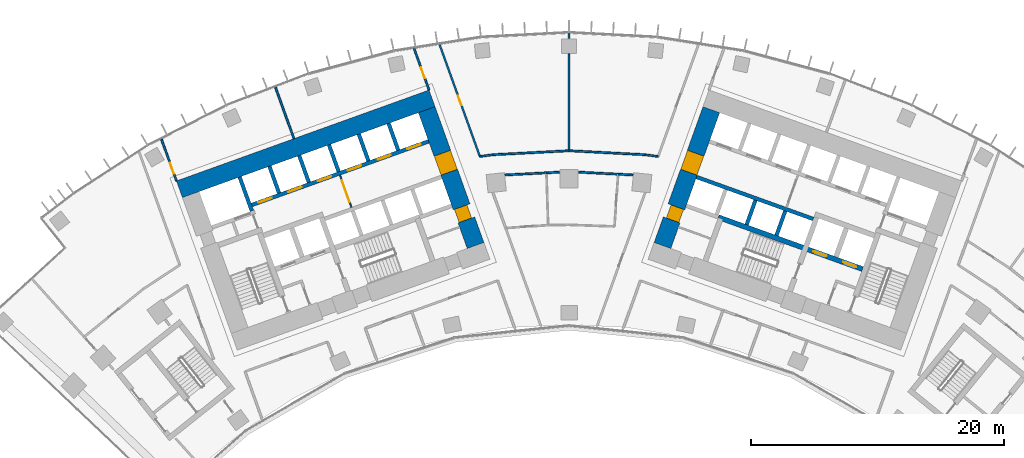
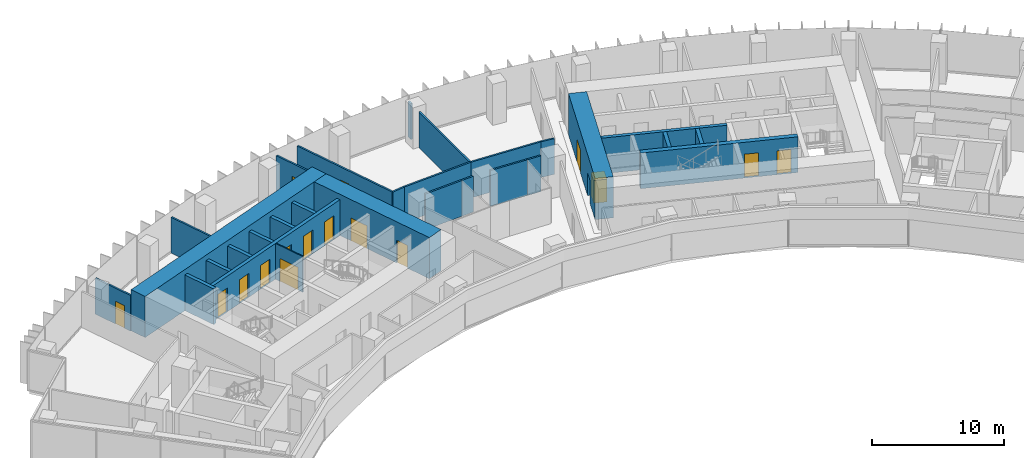
# One storey, part 17 of 22: 29 walls, 16 doors, 16 openings.
"""IFC4 building model written with IfcOpenShell, lengths in metres."""

import ifcopenshell
import ifcopenshell.guid

model = None  # the IFC model being written
_history = None  # IfcOwnerHistory: only IFC2X3 demands one
_inside = {}  # id of a spatial element -> (the spatial element, [elements in it])
_under = {}  # id of a project, library or spatial element -> (it, [spatial elements below it])
_declared = {}  # id of a project -> (the project, [libraries it declares])
_typed = {}  # id of a type object -> (the type object, [elements of that type])
_made_of = {}  # id of a material, layer set ... -> (it, [elements and type objects made of it])


def new_model(schema):
    """Start an empty IFC model of exactly this schema.

    Asked for "IFC4X3", IfcOpenShell would pick the latest addendum, in which some entities
    have other attributes; the version numbers below select the first issue.
    IFC2X3 requires an IfcOwnerHistory on every rooted entity: one is made here for all.
    """
    global model, _history
    if schema == "IFC4X3":
        model = ifcopenshell.file(schema_version=(4, 3, 0, 0))
    else:
        model = ifcopenshell.file(schema=schema)
    _inside.clear()
    _under.clear()
    _declared.clear()
    _typed.clear()
    _made_of.clear()
    _history = None
    if model.schema == "IFC2X3":
        org = make("IfcOrganization", Name="unknown")
        user = make(
            "IfcPersonAndOrganization",
            ThePerson=make("IfcPerson", FamilyName="unknown"),
            TheOrganization=org,
        )
        app = make(
            "IfcApplication",
            ApplicationDeveloper=org,
            Version="unknown",
            ApplicationFullName="unknown",
            ApplicationIdentifier="unknown",
        )
        _history = make(
            "IfcOwnerHistory",
            OwningUser=user,
            OwningApplication=app,
            ChangeAction="ADDED",
            CreationDate=0,
        )
    return model


def make(cls, **values):
    """One entity of the class cls with the attributes given. An attribute that is None is left unset."""
    return model.create_entity(
        cls, **{name: value for name, value in values.items() if value is not None}
    )


def rooted(cls, **values):
    """An entity with a GlobalId (a new one), such as an element, a storey or a relation."""
    return make(cls, GlobalId=ifcopenshell.guid.new(), OwnerHistory=_history, **values)


def si_unit(unit_type, name, prefix=None):
    """IfcSIUnit, for example si_unit("LENGTHUNIT", "METRE", prefix="MILLI")."""
    return make("IfcSIUnit", UnitType=unit_type, Prefix=prefix, Name=name)


def assignment(units):
    """IfcUnitAssignment: the units of a project."""
    return None if units is None else make("IfcUnitAssignment", Units=units)


def point(xyz):
    """IfcCartesianPoint."""
    return None if xyz is None else make("IfcCartesianPoint", Coordinates=xyz)


def direction(xyz):
    """IfcDirection."""
    return None if xyz is None else make("IfcDirection", DirectionRatios=xyz)


def frame(location, z_axis=None, x_axis=None):
    """IfcAxis2Placement3D, a coordinate frame: its origin and axes. An axis left out is left unset."""
    return make(
        "IfcAxis2Placement3D",
        Location=point(location),
        Axis=direction(z_axis),
        RefDirection=direction(x_axis),
    )


def frame_2d(location, x_axis=None):
    """IfcAxis2Placement2D, a coordinate frame in the plane: its origin and x axis."""
    return make(
        "IfcAxis2Placement2D", Location=point(location), RefDirection=direction(x_axis)
    )


def origin():
    """The frame at (0, 0, 0) with its axes left unset."""
    return frame((0.0, 0.0, 0.0))


def place(relative_to, where):
    """IfcLocalPlacement: puts the frame where relative to a parent placement (None: the world)."""
    return make(
        "IfcLocalPlacement", PlacementRelTo=relative_to, RelativePlacement=where
    )


def context(
    kind, dimensions, precision=None, world=None, true_north=None, identifier=None
):
    """IfcGeometricRepresentationContext, for example the 3D "Model" context."""
    return make(
        "IfcGeometricRepresentationContext",
        ContextIdentifier=identifier,
        ContextType=kind,
        CoordinateSpaceDimension=dimensions,
        Precision=precision,
        WorldCoordinateSystem=world,
        TrueNorth=true_north,
    )


def subcontext(parent, identifier, kind, view, scale=None):
    """IfcGeometricRepresentationSubContext, for example "Body" below "Model"."""
    return make(
        "IfcGeometricRepresentationSubContext",
        ContextIdentifier=identifier,
        ContextType=kind,
        ParentContext=parent,
        TargetScale=scale,
        TargetView=view,
    )


def project(units=None, contexts=None):
    """IfcProject with its units and contexts."""
    return rooted(
        "IfcProject",
        Name="project",
        RepresentationContexts=contexts,
        UnitsInContext=assignment(units),
    )


def spatial(cls, under=None, at=None, **own):
    """A site, building, storey or space (cls), placed at a placement, below another one or the project."""
    s = rooted(cls, ObjectPlacement=at, **own)
    if under is not None:
        _under.setdefault(under.id(), (under, []))[1].append(s)
    return s


def profile(cls, at=None, kind="AREA", **sizes):
    """A parametric profile (cls). Its sizes go by their IFC names, for example OverallWidth=200.0."""
    return make(cls, ProfileType=kind, Position=at, **sizes)


def rectangle(**sizes):
    """IfcRectangleProfileDef."""
    return profile("IfcRectangleProfileDef", **sizes)


def extrude(swept, where, along, depth):
    """IfcExtrudedAreaSolid: the profile swept, set in the frame where, extruded along a direction by depth."""
    return make(
        "IfcExtrudedAreaSolid",
        SweptArea=swept,
        Position=where,
        ExtrudedDirection=direction(along),
        Depth=depth,
    )


def shape(context_of_items, identifier, shape_type, items):
    """IfcShapeRepresentation: the items that make up one representation, for example the "Body"."""
    return make(
        "IfcShapeRepresentation",
        ContextOfItems=context_of_items,
        RepresentationIdentifier=identifier,
        RepresentationType=shape_type,
        Items=items,
    )


def material(Name=None, Category=None):
    """IfcMaterial."""
    return make("IfcMaterial", Name=Name, Category=Category)


def layer(
    of_material, thickness, ventilated=None, Name=None, Category=None, Priority=None
):
    """IfcMaterialLayer: one layer of a wall or slab, of a material (None: an air gap)."""
    return make(
        "IfcMaterialLayer",
        Material=of_material,
        LayerThickness=thickness,
        IsVentilated=ventilated,
        Name=Name,
        Category=Category,
        Priority=Priority,
    )


def layer_set(layers, Name=None):
    """IfcMaterialLayerSet."""
    return make("IfcMaterialLayerSet", MaterialLayers=layers, LayerSetName=Name)


def made_of(thing, what):
    """Note that an element or type object is made of a material, layer set ...; save() writes the relation."""
    if what is not None:
        _made_of.setdefault(what.id(), (what, []))[1].append(thing)
    return thing


def type_object(cls, material=None, **own):
    """A type object (cls), such as IfcWallType, which elements share."""
    return made_of(rooted(cls, **own), material)


def element(
    cls,
    number,
    at=None,
    inside=None,
    cuts=None,
    type_object=None,
    material=None,
    context=None,
    identifier="Body",
    shape_type=None,
    held_by="IfcProductDefinitionShape",
    body=None,
    shapes=None,
    **own,
):
    """One element of the class cls, such as IfcWall. Its Tag is "e" and its number.

    at: its placement. inside: the storey or other place that contains it. cuts: it is an
    opening in that element (IfcRelVoidsElement). A single representation is given by context,
    identifier, shape_type and body (its items); several are given by shapes. held_by: the class
    of the entity that holds the representations. save() writes the other relations.
    """
    e = rooted(cls, Tag="e%d" % number, ObjectPlacement=at, **own)
    if body is not None:
        shapes = [shape(context, identifier, shape_type, body)]
    if shapes is not None:
        e.Representation = make(held_by, Representations=shapes)
    if inside is not None:
        _inside.setdefault(inside.id(), (inside, []))[1].append(e)
    if cuts is not None:
        rooted(
            "IfcRelVoidsElement", RelatingBuildingElement=cuts, RelatedOpeningElement=e
        )
    if type_object is not None:
        _typed.setdefault(type_object.id(), (type_object, []))[1].append(e)
    return made_of(e, material)


def fill(opening, filler):
    """IfcRelFillsElement: the door or window that sits in an opening."""
    return rooted(
        "IfcRelFillsElement",
        RelatingOpeningElement=opening,
        RelatedBuildingElement=filler,
    )


def aggregate(whole, parts):
    """IfcRelAggregates: a whole, such as a stair, and the parts it consists of."""
    return rooted("IfcRelAggregates", RelatingObject=whole, RelatedObjects=parts)


def save(model, path):
    """Write the relations noted so far, then the file.

    IfcRelAggregates (storeys below a building ...), IfcRelContainedInSpatialStructure (elements
    in a storey), IfcRelDefinesByType, IfcRelAssociatesMaterial and IfcRelDeclares: one each for
    every whole, place, type object, material and project.
    """
    for whole, parts in _under.values():
        aggregate(whole, parts)
    for where, things in _inside.values():
        rooted(
            "IfcRelContainedInSpatialStructure",
            RelatedElements=things,
            RelatingStructure=where,
        )
    for kind, things in _typed.values():
        rooted("IfcRelDefinesByType", RelatedObjects=things, RelatingType=kind)
    for what, things in _made_of.values():
        rooted("IfcRelAssociatesMaterial", RelatedObjects=things, RelatingMaterial=what)
    for by, libraries in _declared.values():
        rooted("IfcRelDeclares", RelatingContext=by, RelatedDefinitions=libraries)
    model.write(path)


model = new_model("IFC4")

# Units and contexts
model_context = context("Model", 3, precision=1e-05, world=origin(), true_north=direction((0.0, 1.0)))
body_context = subcontext(model_context, "Body", "Model", "MODEL_VIEW")
ifc_project = project(units=[si_unit("LENGTHUNIT", "METRE"), si_unit("AREAUNIT", "SQUARE_METRE"), si_unit("VOLUMEUNIT", "CUBIC_METRE"), si_unit("PLANEANGLEUNIT", "RADIAN"), si_unit("MASSUNIT", "GRAM", prefix="KILO")], contexts=[model_context])

# Site, building, storey
site_placement = place(None, origin())
site = spatial("IfcSite", under=ifc_project, at=site_placement, CompositionType="ELEMENT")
building_placement = place(site_placement, origin())
building = spatial("IfcBuilding", under=site, at=building_placement, Name="Stone Belt Terrace Tower", CompositionType="ELEMENT")
storey_placement = place(building_placement, frame((0.0, 0.0, 132.60009765625)))
storey = spatial("IfcBuildingStorey", under=building, at=storey_placement, Name="L32", CompositionType="ELEMENT", Elevation=132.60009765625)

# Wall, opening, door
ifc_material_1 = material(Name="Plasterboard partition")
ifc_layer_1 = layer(ifc_material_1, 0.10009765625)
ifc_layer_set_1 = layer_set([ifc_layer_1], Name="Core partition 100")
wall_type_1 = type_object("IfcWallType", Name="Core partition 100", PredefinedType="PARTITIONING", material=ifc_layer_set_1)
wall_1_placement = place(storey_placement, frame((-17.17724609375, 52.749755859375, 0.0), z_axis=(0.0, 0.0, 1.0), x_axis=(-0.338546555931, 0.940949642365, 0.0)))
wall_1 = element("IfcWall", 1, at=wall_1_placement, inside=storey, type_object=wall_type_1, Name="Core A wall", PredefinedType="PARTITIONING", context=body_context, shape_type="SweptSolid", body=[
    extrude(rectangle(XDim=2.699951171875, YDim=0.10009765625, at=frame_2d((1.35009765625, 0.0))), origin(), (0.0, 0.0, 1.0), 3.2998046875),
])
opening_1_placement = place(wall_1_placement, frame((0.449951171875, 0.0, 0.0)))
opening_1 = element("IfcOpeningElement", 2, at=opening_1_placement, cuts=wall_1, Name="Opening L32-C03", PredefinedType="OPENING", context=body_context, shape_type="SweptSolid", body=[
    extrude(rectangle(XDim=1.800048828125, YDim=2.10009765625, at=frame_2d((0.89990234375, 1.050048828125))), frame((0.0, 0.06005859375, 0.0), z_axis=(0.0, -1.0, 0.0), x_axis=(1.0, 0.0, 0.0)), (0.0, 0.0, 1.0), 0.1201171875),
])
ifc_material_2 = material(Name="Glazed aluminium door leaf", Category="aluminium")
door_type_1 = type_object("IfcDoorType", Name="Lift lobby entrance door 1800", OperationType="DOUBLE_DOOR_SINGLE_SWING", PredefinedType="DOOR", material=ifc_material_2)
door_1_placement = place(opening_1_placement, origin())
door_1 = element("IfcDoor", 3, at=door_1_placement, inside=storey, type_object=door_type_1, Name="Lift lobby double door core A", OperationType="DOUBLE_DOOR_SINGLE_SWING", OverallHeight=2.10009765625, OverallWidth=1.800048828125, PredefinedType="DOOR", context=body_context, shape_type="SweptSolid", body=[
    extrude(rectangle(XDim=1.800048828125, YDim=2.10009765625, at=frame_2d((0.89990234375, 1.050048828125))), frame((0.0, 0.02490234375, 0.0), z_axis=(0.0, -1.0, 0.0), x_axis=(1.0, 0.0, 0.0)), (0.0, 0.0, 1.0), 0.050048828125),
])
fill(opening_1, door_1)

# Wall
ifc_material_3 = material(Name="Concrete B80", Category="concrete")
ifc_layer_2 = layer(ifc_material_3, 1.39990234375)
ifc_layer_set_2 = layer_set([ifc_layer_2], Name="Core wall 1400 B80")
wall_type_2 = type_object("IfcWallType", Name="Core wall 1400 B80", PredefinedType="SHEAR", material=ifc_layer_set_2)
wall_2_placement = place(storey_placement, frame((-30.765380859375, 54.18310546875, 0.0), z_axis=(0.0, 0.0, 1.0), x_axis=(0.940919704758, 0.338629752382, 0.0)))
element("IfcWall", 4, at=wall_2_placement, inside=storey, type_object=wall_type_2, Name="Core A wall convex L32", PredefinedType="SHEAR", context=body_context, shape_type="SweptSolid", body=[
    extrude(rectangle(XDim=21.199951171875, YDim=1.39990234375, at=frame_2d((10.60009765625, 0.0))), origin(), (0.0, 0.0, 1.0), 3.7998046875),
])

# Wall, openings, doors
wall_3_placement = place(storey_placement, frame((-7.379150390625, 49.73974609375, 0.0), z_axis=(0.0, 0.0, 1.0), x_axis=(-0.338625431531, 0.940921259788, 0.0)))
wall_3 = element("IfcWall", 5, at=wall_3_placement, inside=storey, type_object=wall_type_2, Name="Core A wall end_b L32", PredefinedType="SHEAR", context=body_context, shape_type="SweptSolid", body=[
    extrude(rectangle(XDim=11.400146484375, YDim=1.39990234375, at=frame_2d((5.7001953125, 0.0))), origin(), (0.0, 0.0, 1.0), 3.7998046875),
])
opening_2_placement = place(wall_3_placement, frame((6.14990234375, 0.0, 0.0)))
opening_2 = element("IfcOpeningElement", 6, at=opening_2_placement, cuts=wall_3, Name="Opening L32-C04", PredefinedType="OPENING", context=body_context, shape_type="SweptSolid", body=[
    extrude(rectangle(XDim=1.60009765625, YDim=2.10009765625, at=frame_2d((0.800048828125, 1.050048828125))), frame((0.0, 0.7099609375, 0.0), z_axis=(0.0, -1.0, 0.0), x_axis=(1.0, 0.0, 0.0)), (0.0, 0.0, 1.0), 1.419921875),
])
opening_3_placement = place(wall_3_placement, frame((2.14990234375, 0.0, 0.0)))
opening_3 = element("IfcOpeningElement", 7, at=opening_3_placement, cuts=wall_3, Name="Opening L32-C10", PredefinedType="OPENING", context=body_context, shape_type="SweptSolid", body=[
    extrude(rectangle(XDim=1.10009765625, YDim=2.10009765625, at=frame_2d((0.550048828125, 1.050048828125))), frame((0.0, 0.7099609375, 0.0), z_axis=(0.0, -1.0, 0.0), x_axis=(1.0, 0.0, 0.0)), (0.0, 0.0, 1.0), 1.419921875),
])
ifc_material_4 = material(Name="Timber door leaf", Category="wood")
door_type_2 = type_object("IfcDoorType", Name="Core room door 1100", OperationType="SINGLE_SWING_LEFT", PredefinedType="DOOR", material=ifc_material_4)
door_2_placement = place(opening_3_placement, origin())
door_2 = element("IfcDoor", 8, at=door_2_placement, inside=storey, type_object=door_type_2, Name="Door to Accessible WC core A", OperationType="SINGLE_SWING_LEFT", OverallHeight=2.10009765625, OverallWidth=1.10009765625, PredefinedType="DOOR", context=body_context, shape_type="SweptSolid", body=[
    extrude(rectangle(XDim=1.10009765625, YDim=2.10009765625, at=frame_2d((0.550048828125, 1.050048828125))), frame((0.0, 0.60498046875, 0.0), z_axis=(0.0, -1.0, 0.0), x_axis=(1.0, 0.0, 0.0)), (0.0, 0.0, 1.0), 1.050048828125),
])
fill(opening_3, door_2)
door_type_3 = type_object("IfcDoorType", Name="Lift lobby entrance door 1600", OperationType="DOUBLE_DOOR_SINGLE_SWING", PredefinedType="DOOR", material=ifc_material_2)
door_3_placement = place(opening_2_placement, origin())
door_3 = element("IfcDoor", 9, at=door_3_placement, inside=storey, type_object=door_type_3, Name="Lift lobby entrance door core A", OperationType="DOUBLE_DOOR_SINGLE_SWING", OverallHeight=2.10009765625, OverallWidth=1.60009765625, PredefinedType="DOOR", context=body_context, shape_type="SweptSolid", body=[
    extrude(rectangle(XDim=1.60009765625, YDim=2.10009765625, at=frame_2d((0.800048828125, 1.050048828125))), frame((0.0, 0.68017578125, 0.0), z_axis=(0.0, -1.0, 0.0), x_axis=(1.0, 0.0, 0.0)), (0.0, 0.0, 1.0), 1.360107421875),
])
fill(opening_2, door_3)

wall_4_placement = place(storey_placement, frame((7.379150390625, 49.73974609375, 0.0), z_axis=(0.0, 0.0, 1.0), x_axis=(0.338625431531, 0.940921259788, 0.0)))
wall_4 = element("IfcWall", 10, at=wall_4_placement, inside=storey, type_object=wall_type_2, Name="Core B wall end_a L32", PredefinedType="SHEAR", context=body_context, shape_type="SweptSolid", body=[
    extrude(rectangle(XDim=11.400146484375, YDim=1.39990234375, at=frame_2d((5.7001953125, 0.0))), origin(), (0.0, 0.0, 1.0), 3.7998046875),
])
opening_4_placement = place(wall_4_placement, frame((6.14990234375, 0.0, 0.0)))
opening_4 = element("IfcOpeningElement", 11, at=opening_4_placement, cuts=wall_4, Name="Opening L32-C15", PredefinedType="OPENING", context=body_context, shape_type="SweptSolid", body=[
    extrude(rectangle(XDim=1.60009765625, YDim=2.10009765625, at=frame_2d((0.800048828125, 1.050048828125))), frame((0.0, 0.7099609375, 0.0), z_axis=(0.0, -1.0, 0.0), x_axis=(1.0, 0.0, 0.0)), (0.0, 0.0, 1.0), 1.419921875),
])
opening_5_placement = place(wall_4_placement, frame((2.14990234375, 0.0, 0.0)))
opening_5 = element("IfcOpeningElement", 12, at=opening_5_placement, cuts=wall_4, Name="Opening L32-C21", PredefinedType="OPENING", context=body_context, shape_type="SweptSolid", body=[
    extrude(rectangle(XDim=1.10009765625, YDim=2.10009765625, at=frame_2d((0.550048828125, 1.050048828125))), frame((0.0, 0.7099609375, 0.0), z_axis=(0.0, -1.0, 0.0), x_axis=(1.0, 0.0, 0.0)), (0.0, 0.0, 1.0), 1.419921875),
])
door_4_placement = place(opening_5_placement, origin())
door_4 = element("IfcDoor", 13, at=door_4_placement, inside=storey, type_object=door_type_2, Name="Door to Accessible WC core B", OperationType="SINGLE_SWING_RIGHT", OverallHeight=2.10009765625, OverallWidth=1.10009765625, PredefinedType="DOOR", context=body_context, shape_type="SweptSolid", body=[
    extrude(rectangle(XDim=1.10009765625, YDim=2.10009765625, at=frame_2d((0.550048828125, 1.050048828125))), frame((0.0, 0.44482421875, 0.0), z_axis=(0.0, -1.0, 0.0), x_axis=(1.0, 0.0, 0.0)), (0.0, 0.0, 1.0), 1.050048828125),
])
fill(opening_5, door_4)
door_5_placement = place(opening_4_placement, origin())
door_5 = element("IfcDoor", 14, at=door_5_placement, inside=storey, type_object=door_type_3, Name="Lift lobby entrance door core B", OperationType="DOUBLE_DOOR_SINGLE_SWING", OverallHeight=2.10009765625, OverallWidth=1.60009765625, PredefinedType="DOOR", context=body_context, shape_type="SweptSolid", body=[
    extrude(rectangle(XDim=1.60009765625, YDim=2.10009765625, at=frame_2d((0.800048828125, 1.050048828125))), frame((0.0, 0.68017578125, 0.0), z_axis=(0.0, -1.0, 0.0), x_axis=(1.0, 0.0, 0.0)), (0.0, 0.0, 1.0), 1.360107421875),
])
fill(opening_4, door_5)

# Wall
ifc_layer_3 = layer(ifc_material_3, 0.300048828125)
ifc_layer_set_3 = layer_set([ifc_layer_3], Name="Lift shaft wall 300")
wall_type_3 = type_object("IfcWallType", Name="Lift shaft wall 300", PredefinedType="SHEAR", material=ifc_layer_set_3)
wall_5_placement = place(storey_placement, frame((-25.046875, 52.46826171875, 0.0), z_axis=(0.0, 0.0, 1.0), x_axis=(-0.338549588058, 0.940948551423, 0.0)))
element("IfcWall", 15, at=wall_5_placement, inside=storey, type_object=wall_type_3, Name="Core A wall", PredefinedType="SHEAR", context=body_context, shape_type="SweptSolid", body=[
    extrude(rectangle(XDim=2.849853515625, YDim=0.300048828125, at=frame_2d((1.4248046875, 0.0))), origin(), (0.0, 0.0, 1.0), 3.2998046875),
])

# Wall, openings, doors
wall_6_placement = place(storey_placement, frame((-25.05810546875, 52.9423828125, 0.0), z_axis=(0.0, 0.0, 1.0), x_axis=(0.940918215764, 0.338633889685, 0.0)))
wall_6 = element("IfcWall", 16, at=wall_6_placement, inside=storey, type_object=wall_type_3, Name="Core A wall", PredefinedType="SHEAR", context=body_context, shape_type="SweptSolid", body=[
    extrude(rectangle(XDim=14.850341796875, YDim=0.300048828125, at=frame_2d((7.42529296875, 0.0))), origin(), (0.0, 0.0, 1.0), 3.2998046875),
])
opening_6_placement = place(wall_6_placement, frame((0.570068359375, 0.0, 0.0)))
opening_6 = element("IfcOpeningElement", 17, at=opening_6_placement, cuts=wall_6, Name="Opening L32-LD01", PredefinedType="OPENING", context=body_context, shape_type="SweptSolid", body=[
    extrude(rectangle(XDim=1.10009765625, YDim=2.199951171875, at=frame_2d((0.550048828125, 1.10009765625))), frame((0.0, 0.159912109375, 0.0), z_axis=(0.0, -1.0, 0.0), x_axis=(1.0, 0.0, 0.0)), (0.0, 0.0, 1.0), 0.320068359375),
])
opening_7_placement = place(wall_6_placement, frame((3.070068359375, 0.0, 0.0)))
opening_7 = element("IfcOpeningElement", 18, at=opening_7_placement, cuts=wall_6, Name="Opening L32-LD02", PredefinedType="OPENING", context=body_context, shape_type="SweptSolid", body=[
    extrude(rectangle(XDim=1.10009765625, YDim=2.199951171875, at=frame_2d((0.550048828125, 1.10009765625))), frame((0.0, 0.159912109375, 0.0), z_axis=(0.0, -1.0, 0.0), x_axis=(1.0, 0.0, 0.0)), (0.0, 0.0, 1.0), 0.320068359375),
])
opening_8_placement = place(wall_6_placement, frame((5.570068359375, 0.0, 0.0)))
opening_8 = element("IfcOpeningElement", 19, at=opening_8_placement, cuts=wall_6, Name="Opening L32-LD03", PredefinedType="OPENING", context=body_context, shape_type="SweptSolid", body=[
    extrude(rectangle(XDim=1.10009765625, YDim=2.199951171875, at=frame_2d((0.550048828125, 1.10009765625))), frame((0.0, 0.159912109375, 0.0), z_axis=(0.0, -1.0, 0.0), x_axis=(1.0, 0.0, 0.0)), (0.0, 0.0, 1.0), 0.320068359375),
])
opening_9_placement = place(wall_6_placement, frame((8.070068359375, 0.0, 0.0)))
opening_9 = element("IfcOpeningElement", 20, at=opening_9_placement, cuts=wall_6, Name="Opening L32-LD04", PredefinedType="OPENING", context=body_context, shape_type="SweptSolid", body=[
    extrude(rectangle(XDim=1.10009765625, YDim=2.199951171875, at=frame_2d((0.550048828125, 1.10009765625))), frame((0.0, 0.159912109375, 0.0), z_axis=(0.0, -1.0, 0.0), x_axis=(1.0, 0.0, 0.0)), (0.0, 0.0, 1.0), 0.320068359375),
])
opening_10_placement = place(wall_6_placement, frame((10.570068359375, 0.0, 0.0)))
opening_10 = element("IfcOpeningElement", 21, at=opening_10_placement, cuts=wall_6, Name="Opening L32-LD05", PredefinedType="OPENING", context=body_context, shape_type="SweptSolid", body=[
    extrude(rectangle(XDim=1.10009765625, YDim=2.199951171875, at=frame_2d((0.550048828125, 1.10009765625))), frame((0.0, 0.159912109375, 0.0), z_axis=(0.0, -1.0, 0.0), x_axis=(1.0, 0.0, 0.0)), (0.0, 0.0, 1.0), 0.320068359375),
])
opening_11_placement = place(wall_6_placement, frame((13.070068359375, 0.0, 0.0)))
opening_11 = element("IfcOpeningElement", 22, at=opening_11_placement, cuts=wall_6, Name="Opening L32-LD06", PredefinedType="OPENING", context=body_context, shape_type="SweptSolid", body=[
    extrude(rectangle(XDim=1.10009765625, YDim=2.199951171875, at=frame_2d((0.550048828125, 1.10009765625))), frame((0.0, 0.159912109375, 0.0), z_axis=(0.0, -1.0, 0.0), x_axis=(1.0, 0.0, 0.0)), (0.0, 0.0, 1.0), 0.320068359375),
])
ifc_material_5 = material(Name="Stainless steel door leaf", Category="steel")
door_type_4 = type_object("IfcDoorType", Name="Landing door 1100", OperationType="SLIDING_TO_LEFT", PredefinedType="DOOR", material=ifc_material_5)
door_6_placement = place(opening_6_placement, origin())
door_6 = element("IfcDoor", 23, at=door_6_placement, inside=storey, type_object=door_type_4, Name="Landing door LR1 core A", OperationType="SLIDING_TO_LEFT", OverallHeight=2.199951171875, OverallWidth=1.10009765625, PredefinedType="DOOR", context=body_context, shape_type="SweptSolid", body=[
    extrude(rectangle(XDim=1.10009765625, YDim=2.199951171875, at=frame_2d((0.550048828125, 1.10009765625))), frame((0.0, 0.02490234375, 0.0), z_axis=(0.0, -1.0, 0.0), x_axis=(1.0, 0.0, 0.0)), (0.0, 0.0, 1.0), 0.050048828125),
])
fill(opening_6, door_6)
door_7_placement = place(opening_7_placement, origin())
door_7 = element("IfcDoor", 24, at=door_7_placement, inside=storey, type_object=door_type_4, Name="Landing door LR2 core A", OperationType="SLIDING_TO_LEFT", OverallHeight=2.199951171875, OverallWidth=1.10009765625, PredefinedType="DOOR", context=body_context, shape_type="SweptSolid", body=[
    extrude(rectangle(XDim=1.10009765625, YDim=2.199951171875, at=frame_2d((0.550048828125, 1.10009765625))), frame((0.0, 0.02490234375, 0.0), z_axis=(0.0, -1.0, 0.0), x_axis=(1.0, 0.0, 0.0)), (0.0, 0.0, 1.0), 0.050048828125),
])
fill(opening_7, door_7)
door_8_placement = place(opening_8_placement, origin())
door_8 = element("IfcDoor", 25, at=door_8_placement, inside=storey, type_object=door_type_4, Name="Landing door LR3 core A", OperationType="SLIDING_TO_LEFT", OverallHeight=2.199951171875, OverallWidth=1.10009765625, PredefinedType="DOOR", context=body_context, shape_type="SweptSolid", body=[
    extrude(rectangle(XDim=1.10009765625, YDim=2.199951171875, at=frame_2d((0.550048828125, 1.10009765625))), frame((0.0, 0.02490234375, 0.0), z_axis=(0.0, -1.0, 0.0), x_axis=(1.0, 0.0, 0.0)), (0.0, 0.0, 1.0), 0.050048828125),
])
fill(opening_8, door_8)
door_9_placement = place(opening_9_placement, origin())
door_9 = element("IfcDoor", 26, at=door_9_placement, inside=storey, type_object=door_type_4, Name="Landing door LR4 core A", OperationType="SLIDING_TO_LEFT", OverallHeight=2.199951171875, OverallWidth=1.10009765625, PredefinedType="DOOR", context=body_context, shape_type="SweptSolid", body=[
    extrude(rectangle(XDim=1.10009765625, YDim=2.199951171875, at=frame_2d((0.550048828125, 1.10009765625))), frame((0.0, 0.02490234375, 0.0), z_axis=(0.0, -1.0, 0.0), x_axis=(1.0, 0.0, 0.0)), (0.0, 0.0, 1.0), 0.050048828125),
])
fill(opening_9, door_9)
door_10_placement = place(opening_10_placement, origin())
door_10 = element("IfcDoor", 27, at=door_10_placement, inside=storey, type_object=door_type_4, Name="Landing door LR5 core A", OperationType="SLIDING_TO_LEFT", OverallHeight=2.199951171875, OverallWidth=1.10009765625, PredefinedType="DOOR", context=body_context, shape_type="SweptSolid", body=[
    extrude(rectangle(XDim=1.10009765625, YDim=2.199951171875, at=frame_2d((0.550048828125, 1.10009765625))), frame((0.0, 0.02490234375, 0.0), z_axis=(0.0, -1.0, 0.0), x_axis=(1.0, 0.0, 0.0)), (0.0, 0.0, 1.0), 0.050048828125),
])
fill(opening_10, door_10)
door_11_placement = place(opening_11_placement, origin())
door_11 = element("IfcDoor", 28, at=door_11_placement, inside=storey, type_object=door_type_4, Name="Landing door LR6 core A", OperationType="SLIDING_TO_LEFT", OverallHeight=2.199951171875, OverallWidth=1.10009765625, PredefinedType="DOOR", context=body_context, shape_type="SweptSolid", body=[
    extrude(rectangle(XDim=1.10009765625, YDim=2.199951171875, at=frame_2d((0.550048828125, 1.10009765625))), frame((0.0, 0.02490234375, 0.0), z_axis=(0.0, -1.0, 0.0), x_axis=(1.0, 0.0, 0.0)), (0.0, 0.0, 1.0), 0.050048828125),
])
fill(opening_11, door_11)

# Walls
wall_7_placement = place(storey_placement, frame((-22.897705078125, 53.87939453125, 0.0), z_axis=(0.0, 0.0, 1.0), x_axis=(-0.338535034312, 0.940953787677, 0.0)))
element("IfcWall", 29, at=wall_7_placement, inside=storey, type_object=wall_type_3, Name="Core A wall", PredefinedType="SHEAR", context=body_context, shape_type="SweptSolid", body=[
    extrude(rectangle(XDim=2.25, YDim=0.300048828125, at=frame_2d((1.125, 0.0))), origin(), (0.0, 0.0, 1.0), 3.2998046875),
])
wall_8_placement = place(storey_placement, frame((-20.54541015625, 54.72607421875, 0.0), z_axis=(0.0, 0.0, 1.0), x_axis=(-0.338569601369, 0.940941350472, 0.0)))
element("IfcWall", 30, at=wall_8_placement, inside=storey, type_object=wall_type_3, Name="Core A wall", PredefinedType="SHEAR", context=body_context, shape_type="SweptSolid", body=[
    extrude(rectangle(XDim=2.249755859375, YDim=0.300048828125, at=frame_2d((1.125, 0.0))), origin(), (0.0, 0.0, 1.0), 3.2998046875),
])
wall_9_placement = place(storey_placement, frame((-18.193115234375, 55.572509765625, 0.0), z_axis=(0.0, 0.0, 1.0), x_axis=(-0.338535034312, 0.940953787677, 0.0)))
element("IfcWall", 31, at=wall_9_placement, inside=storey, type_object=wall_type_3, Name="Core A wall", PredefinedType="SHEAR", context=body_context, shape_type="SweptSolid", body=[
    extrude(rectangle(XDim=2.25, YDim=0.300048828125, at=frame_2d((1.125, 0.0))), origin(), (0.0, 0.0, 1.0), 3.2998046875),
])
wall_10_placement = place(storey_placement, frame((-15.8408203125, 56.419189453125, 0.0), z_axis=(0.0, 0.0, 1.0), x_axis=(-0.338569601369, 0.940941350472, 0.0)))
element("IfcWall", 32, at=wall_10_placement, inside=storey, type_object=wall_type_3, Name="Core A wall", PredefinedType="SHEAR", context=body_context, shape_type="SweptSolid", body=[
    extrude(rectangle(XDim=2.249755859375, YDim=0.300048828125, at=frame_2d((1.125, 0.0))), origin(), (0.0, 0.0, 1.0), 3.2998046875),
])
wall_11_placement = place(storey_placement, frame((-13.48828125, 57.265625, 0.0), z_axis=(0.0, 0.0, 1.0), x_axis=(-0.338631098537, 0.940919220286, 0.0)))
element("IfcWall", 33, at=wall_11_placement, inside=storey, type_object=wall_type_3, Name="Core A wall", PredefinedType="SHEAR", context=body_context, shape_type="SweptSolid", body=[
    extrude(rectangle(XDim=2.250244140625, YDim=0.300048828125, at=frame_2d((1.125, 0.0))), origin(), (0.0, 0.0, 1.0), 3.2998046875),
])
wall_12_placement = place(storey_placement, frame((19.29052734375, 51.829833984375, 0.0), z_axis=(0.0, 0.0, 1.0), x_axis=(-0.940925833398, 0.338612722803, 0.0)))
element("IfcWall", 34, at=wall_12_placement, inside=storey, type_object=wall_type_3, Name="Core B wall", PredefinedType="SHEAR", context=body_context, shape_type="SweptSolid", body=[
    extrude(rectangle(XDim=9.7998046875, YDim=0.300048828125, at=frame_2d((4.89990234375, 0.0))), origin(), (0.0, 0.0, 1.0), 3.2998046875),
])
for number, where, z_axis, x_axis, name in (
    (35, (16.38134765625, 50.53857421875, 0.0), (0.0, 0.0, 1.0), (0.338681515556, 0.940901073982, 0.0), "Core B wall"),
    (36, (14.029052734375, 51.38525390625, 0.0), (0.0, 0.0, 1.0), (0.338681515556, 0.940901073982, 0.0), "Core B wall"),
):
    element("IfcWall", number, at=place(storey_placement, frame(where, z_axis=z_axis, x_axis=x_axis)), inside=storey, type_object=wall_type_3, Name=name, PredefinedType="SHEAR", context=body_context, shape_type="SweptSolid", body=[
        extrude(rectangle(XDim=2.050048828125, YDim=0.300048828125, at=frame_2d((1.02490234375, 0.0))), origin(), (0.0, 0.0, 1.0), 3.2998046875),
    ])

# Wall, opening, door
ifc_material_6 = material(Name="Gypsum board partition")
ifc_layer_4 = layer(ifc_material_6, 0.14990234375)
ifc_layer_set_4 = layer_set([ifc_layer_4], Name="PARTITION 150 EI 60")
wall_type_4 = type_object("IfcWallType", Name="PARTITION 150 EI 60", PredefinedType="PARTITIONING", material=ifc_layer_set_4)
wall_13_placement = place(storey_placement, frame((-32.185791015625, 58.131103515625, 0.0), z_axis=(0.0, 0.0, 1.0), x_axis=(0.338662585219, -0.940907887826, 0.0)))
wall_13 = element("IfcWall", 37, at=wall_13_placement, inside=storey, type_object=wall_type_4, Name="L32/wall/i002", PredefinedType="PARTITIONING", context=body_context, shape_type="SweptSolid", body=[
    extrude(rectangle(XDim=3.49560546875, YDim=0.14990234375, at=frame_2d((1.747802734375, 0.0))), origin(), (0.0, 0.0, 1.0), 3.2998046875),
])
opening_12_placement = place(wall_13_placement, frame((1.996337890625, 0.0, 0.0)))
opening_12 = element("IfcOpeningElement", 38, at=opening_12_placement, cuts=wall_13, Name="Opening D-B5-04", PredefinedType="OPENING", context=body_context, shape_type="SweptSolid", body=[
    extrude(rectangle(XDim=0.89990234375, YDim=2.10009765625, at=frame_2d((0.449951171875, 1.050048828125))), frame((0.0, 0.0849609375, 0.0), z_axis=(0.0, -1.0, 0.0), x_axis=(1.0, 0.0, 0.0)), (0.0, 0.0, 1.0), 0.169921875),
])
door_type_5 = type_object("IfcDoorType", Name="OFFICE DOOR 900 X 2100", OperationType="NOTDEFINED", PredefinedType="DOOR", material=ifc_material_4)
door_12_placement = place(opening_12_placement, origin())
door_12 = element("IfcDoor", 39, at=door_12_placement, inside=storey, type_object=door_type_5, Name="L32/door/i04", OperationType="SINGLE_SWING_RIGHT", OverallHeight=2.10009765625, OverallWidth=0.89990234375, PredefinedType="DOOR", context=body_context, shape_type="SweptSolid", body=[
    extrude(rectangle(XDim=0.89990234375, YDim=2.10009765625, at=frame_2d((0.449951171875, 1.050048828125))), frame((0.0, 0.02490234375, 0.0), z_axis=(0.0, -1.0, 0.0), x_axis=(1.0, 0.0, 0.0)), (0.0, 0.0, 1.0), 0.050048828125),
])
fill(opening_12, door_12)

wall_14_placement = place(storey_placement, frame((-11.054931640625, 62.02099609375, 0.0), z_axis=(0.0, 0.0, 1.0), x_axis=(-0.338853532575, 0.94083913793, 0.0)))
wall_14 = element("IfcWall", 40, at=wall_14_placement, inside=storey, type_object=wall_type_4, Name="L32/wall/i007", PredefinedType="PARTITIONING", context=body_context, shape_type="SweptSolid", body=[
    extrude(rectangle(XDim=3.482177734375, YDim=0.14990234375, at=frame_2d((1.7412109375, 0.0))), origin(), (0.0, 0.0, 1.0), 3.2998046875),
])
opening_13_placement = place(wall_14_placement, frame((0.99365234375, 0.0, 0.0)))
opening_13 = element("IfcOpeningElement", 41, at=opening_13_placement, cuts=wall_14, Name="Opening D-B5-05", PredefinedType="OPENING", context=body_context, shape_type="SweptSolid", body=[
    extrude(rectangle(XDim=0.89990234375, YDim=2.10009765625, at=frame_2d((0.449951171875, 1.050048828125))), frame((0.0, 0.0849609375, 0.0), z_axis=(0.0, -1.0, 0.0), x_axis=(1.0, 0.0, 0.0)), (0.0, 0.0, 1.0), 0.169921875),
])
door_13_placement = place(opening_13_placement, origin())
door_13 = element("IfcDoor", 42, at=door_13_placement, inside=storey, type_object=door_type_5, Name="L32/door/i05", OperationType="SINGLE_SWING_LEFT", OverallHeight=2.10009765625, OverallWidth=0.89990234375, PredefinedType="DOOR", context=body_context, shape_type="SweptSolid", body=[
    extrude(rectangle(XDim=0.89990234375, YDim=2.10009765625, at=frame_2d((0.449951171875, 1.050048828125))), frame((0.0, 0.02490234375, 0.0), z_axis=(0.0, -1.0, 0.0), x_axis=(1.0, 0.0, 0.0)), (0.0, 0.0, 1.0), 0.050048828125),
])
fill(opening_13, door_13)

wall_15_placement = place(storey_placement, frame((-10.223876953125, 65.6162109375, 0.0), z_axis=(0.0, 0.0, 1.0), x_axis=(0.338637655092, -0.940916860596, 0.0)))
wall_15 = element("IfcWall", 43, at=wall_15_placement, inside=storey, type_object=wall_type_4, Name="L32/wall/i010", PredefinedType="PARTITIONING", context=body_context, shape_type="SweptSolid", body=[
    extrude(rectangle(XDim=9.40478515625, YDim=0.14990234375, at=frame_2d((4.702392578125, 0.0))), origin(), (0.0, 0.0, 1.0), 3.2998046875),
])
opening_14_placement = place(wall_15_placement, frame((4.302490234375, 0.0, 0.0)))
opening_14 = element("IfcOpeningElement", 44, at=opening_14_placement, cuts=wall_15, Name="Opening D-B5-29", PredefinedType="OPENING", context=body_context, shape_type="SweptSolid", body=[
    extrude(rectangle(XDim=0.800048828125, YDim=2.10009765625, at=frame_2d((0.39990234375, 1.050048828125))), frame((0.0, 0.0849609375, 0.0), z_axis=(0.0, -1.0, 0.0), x_axis=(1.0, 0.0, 0.0)), (0.0, 0.0, 1.0), 0.169921875),
])
door_type_6 = type_object("IfcDoorType", Name="STORE DOOR 800 X 2100", OperationType="NOTDEFINED", PredefinedType="DOOR", material=ifc_material_4)
door_14_placement = place(opening_14_placement, origin())
door_14 = element("IfcDoor", 45, at=door_14_placement, inside=storey, type_object=door_type_6, Name="L32/door/i29", OperationType="SINGLE_SWING_RIGHT", OverallHeight=2.10009765625, OverallWidth=0.800048828125, PredefinedType="DOOR", context=body_context, shape_type="SweptSolid", body=[
    extrude(rectangle(XDim=0.800048828125, YDim=2.10009765625, at=frame_2d((0.39990234375, 1.050048828125))), frame((0.0, 0.02490234375, 0.0), z_axis=(0.0, -1.0, 0.0), x_axis=(1.0, 0.0, 0.0)), (0.0, 0.0, 1.0), 0.050048828125),
])
fill(opening_14, door_14)

# Walls
wall_16_placement = place(storey_placement, frame((-23.183837890625, 62.234130859375, 0.0), z_axis=(0.0, 0.0, 1.0), x_axis=(0.338633169917, -0.940918474806, 0.0)))
element("IfcWall", 46, at=wall_16_placement, inside=storey, type_object=wall_type_4, Name="L32/wall/i017", PredefinedType="PARTITIONING", context=body_context, shape_type="SweptSolid", body=[
    extrude(rectangle(XDim=4.3076171875, YDim=0.14990234375, at=frame_2d((2.15380859375, 0.0))), origin(), (0.0, 0.0, 1.0), 3.2998046875),
])
wall_17_placement = place(storey_placement, frame((5.05419921875, 55.310302734375, 0.0), z_axis=(0.0, 0.0, 1.0), x_axis=(-0.998637698263, 0.052179954081, 0.0)))
element("IfcWall", 47, at=wall_17_placement, inside=storey, type_object=wall_type_4, Name="L32/wall/i077", PredefinedType="PARTITIONING", context=body_context, shape_type="SweptSolid", body=[
    extrude(rectangle(XDim=1.183837890625, YDim=0.14990234375, at=frame_2d((0.591796875, 0.0))), origin(), (0.0, 0.0, 1.0), 3.2998046875),
])
wall_18_placement = place(storey_placement, frame((-1.777099609375, 55.48193359375, 0.0), z_axis=(0.0, 0.0, 1.0), x_axis=(-0.998635243158, -0.052226919519, 0.0)))
element("IfcWall", 48, at=wall_18_placement, inside=storey, type_object=wall_type_4, Name="L32/wall/i078", PredefinedType="PARTITIONING", context=body_context, shape_type="SweptSolid", body=[
    extrude(rectangle(XDim=3.281494140625, YDim=0.14990234375, at=frame_2d((1.640625, 0.0))), origin(), (0.0, 0.0, 1.0), 3.2998046875),
])
wall_19_placement = place(storey_placement, frame((3.884033203125, 55.3720703125, 0.0), z_axis=(0.0, 0.0, 1.0), x_axis=(-0.998636491381, 0.052203046674, 0.0)))
element("IfcWall", 49, at=wall_19_placement, inside=storey, type_object=wall_type_4, Name="L32/wall/i079", PredefinedType="PARTITIONING", context=body_context, shape_type="SweptSolid", body=[
    extrude(rectangle(XDim=3.13330078125, YDim=0.14990234375, at=frame_2d((1.566650390625, 0.0))), origin(), (0.0, 0.0, 1.0), 3.2998046875),
])
wall_20_placement = place(storey_placement, frame((-0.7548828125, 55.535400390625, 0.0), z_axis=(0.0, 0.0, 1.0), x_axis=(-0.998617178026, -0.052571206492, 0.0)))
element("IfcWall", 50, at=wall_20_placement, inside=storey, type_object=wall_type_4, Name="L32/wall/i080", PredefinedType="PARTITIONING", context=body_context, shape_type="SweptSolid", body=[
    extrude(rectangle(XDim=1.03564453125, YDim=0.14990234375, at=frame_2d((0.517822265625, 0.0))), origin(), (0.0, 0.0, 1.0), 3.2998046875),
])
wall_21_placement = place(storey_placement, frame((-7.041015625, 56.77294921875, 0.0), z_axis=(0.0, 0.0, 1.0), x_axis=(0.991477617634, 0.130277142013, 0.0)))
element("IfcWall", 51, at=wall_21_placement, inside=storey, type_object=wall_type_4, Name="L32/wall/i081", PredefinedType="PARTITIONING", context=body_context, shape_type="SweptSolid", body=[
    extrude(rectangle(XDim=1.068115234375, YDim=0.14990234375, at=frame_2d((0.5341796875, 0.0))), origin(), (0.0, 0.0, 1.0), 3.2998046875),
])
for number, where, z_axis, x_axis, name in (
    (52, (-5.98193359375, 56.912109375, 0.0), (0.0, 0.0, 1.0), (0.998633994648, 0.052250786921, 0.0), "L32/wall/i082"),
    (53, (0.0, 57.22509765625, 0.0), (0.0, 0.0, 1.0), (0.998633994648, -0.052250786921, 0.0), "L32/wall/i083"),
):
    element("IfcWall", number, at=place(storey_placement, frame(where, z_axis=z_axis, x_axis=x_axis)), inside=storey, type_object=wall_type_4, Name=name, PredefinedType="PARTITIONING", context=body_context, shape_type="SweptSolid", body=[
        extrude(rectangle(XDim=5.990234375, YDim=0.14990234375, at=frame_2d((2.9951171875, 0.0))), origin(), (0.0, 0.0, 1.0), 3.2998046875),
    ])
wall_22_placement = place(storey_placement, frame((5.98193359375, 56.912109375, 0.0), z_axis=(0.0, 0.0, 1.0), x_axis=(0.991477617634, -0.130277142013, 0.0)))
element("IfcWall", 54, at=wall_22_placement, inside=storey, type_object=wall_type_4, Name="L32/wall/i084", PredefinedType="PARTITIONING", context=body_context, shape_type="SweptSolid", body=[
    extrude(rectangle(XDim=1.068115234375, YDim=0.14990234375, at=frame_2d((0.5341796875, 0.0))), origin(), (0.0, 0.0, 1.0), 3.2998046875),
])
wall_23_placement = place(storey_placement, frame((0.0, 66.5, 0.0), z_axis=(0.0, 0.0, 1.0), x_axis=(0.0, -1.0, 0.0)))
element("IfcWall", 55, at=wall_23_placement, inside=storey, type_object=wall_type_4, Name="L32/wall/i090", PredefinedType="PARTITIONING", context=body_context, shape_type="SweptSolid", body=[
    extrude(rectangle(XDim=0.406005859375, YDim=0.14990234375, at=frame_2d((0.203125, 0.0))), origin(), (0.0, 0.0, 1.0), 3.2998046875),
])
wall_24_placement = place(storey_placement, frame((0.0, 64.8837890625, 0.0), z_axis=(0.0, 0.0, 1.0), x_axis=(0.0, -1.0, 0.0)))
element("IfcWall", 56, at=wall_24_placement, inside=storey, type_object=wall_type_4, Name="L32/wall/i091", PredefinedType="PARTITIONING", context=body_context, shape_type="SweptSolid", body=[
    extrude(rectangle(XDim=7.65869140625, YDim=0.14990234375, at=frame_2d((3.829345703125, 0.0))), origin(), (0.0, 0.0, 1.0), 3.2998046875),
])

# Wall, openings, doors
ifc_layer_5 = layer(ifc_material_3, 0.39990234375)
ifc_layer_set_5 = layer_set([ifc_layer_5], Name="Stair enclosure wall 400")
wall_type_5 = type_object("IfcWallType", Name="Stair enclosure wall 400", PredefinedType="SHEAR", material=ifc_layer_set_5)
wall_25_placement = place(storey_placement, frame((23.182373046875, 47.87841796875, 0.0), z_axis=(0.0, 0.0, 1.0), x_axis=(-0.940921101762, 0.338625870628, 0.0)))
wall_25 = element("IfcWall", 57, at=wall_25_placement, inside=storey, type_object=wall_type_5, Name="Core B wall", PredefinedType="SHEAR", context=body_context, shape_type="SweptSolid", body=[
    extrude(rectangle(XDim=12.10009765625, YDim=0.39990234375, at=frame_2d((6.050048828125, 0.0))), origin(), (0.0, 0.0, 1.0), 3.2998046875),
])
opening_15_placement = place(wall_25_placement, frame((0.52001953125, 0.0, 0.0)))
opening_15 = element("IfcOpeningElement", 58, at=opening_15_placement, cuts=wall_25, Name="Opening L32-LD16", PredefinedType="OPENING", context=body_context, shape_type="SweptSolid", body=[
    extrude(rectangle(XDim=1.10009765625, YDim=2.199951171875, at=frame_2d((0.550048828125, 1.10009765625))), frame((0.0, 0.2099609375, 0.0), z_axis=(0.0, -1.0, 0.0), x_axis=(1.0, 0.0, 0.0)), (0.0, 0.0, 1.0), 0.419921875),
])
opening_16_placement = place(wall_25_placement, frame((3.02001953125, 0.0, 0.0)))
opening_16 = element("IfcOpeningElement", 59, at=opening_16_placement, cuts=wall_25, Name="Opening L32-LD17", PredefinedType="OPENING", context=body_context, shape_type="SweptSolid", body=[
    extrude(rectangle(XDim=1.10009765625, YDim=2.199951171875, at=frame_2d((0.550048828125, 1.10009765625))), frame((0.0, 0.2099609375, 0.0), z_axis=(0.0, -1.0, 0.0), x_axis=(1.0, 0.0, 0.0)), (0.0, 0.0, 1.0), 0.419921875),
])
door_15_placement = place(opening_15_placement, origin())
door_15 = element("IfcDoor", 60, at=door_15_placement, inside=storey, type_object=door_type_4, Name="Landing door FF1 core B", OperationType="SLIDING_TO_LEFT", OverallHeight=2.199951171875, OverallWidth=1.10009765625, PredefinedType="DOOR", context=body_context, shape_type="SweptSolid", body=[
    extrude(rectangle(XDim=1.10009765625, YDim=2.199951171875, at=frame_2d((0.550048828125, 1.10009765625))), frame((0.0, 0.02490234375, 0.0), z_axis=(0.0, -1.0, 0.0), x_axis=(1.0, 0.0, 0.0)), (0.0, 0.0, 1.0), 0.050048828125),
])
fill(opening_15, door_15)
door_16_placement = place(opening_16_placement, origin())
door_16 = element("IfcDoor", 61, at=door_16_placement, inside=storey, type_object=door_type_4, Name="Landing door FF2 core B", OperationType="SLIDING_TO_LEFT", OverallHeight=2.199951171875, OverallWidth=1.10009765625, PredefinedType="DOOR", context=body_context, shape_type="SweptSolid", body=[
    extrude(rectangle(XDim=1.10009765625, YDim=2.199951171875, at=frame_2d((0.550048828125, 1.10009765625))), frame((0.0, 0.02490234375, 0.0), z_axis=(0.0, -1.0, 0.0), x_axis=(1.0, 0.0, 0.0)), (0.0, 0.0, 1.0), 0.050048828125),
])
fill(opening_16, door_16)

save(model, "model.ifc")
